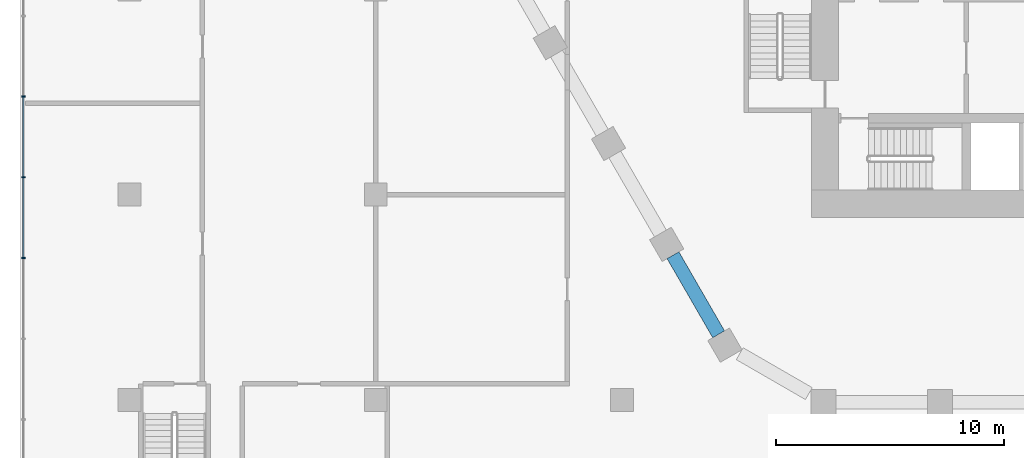
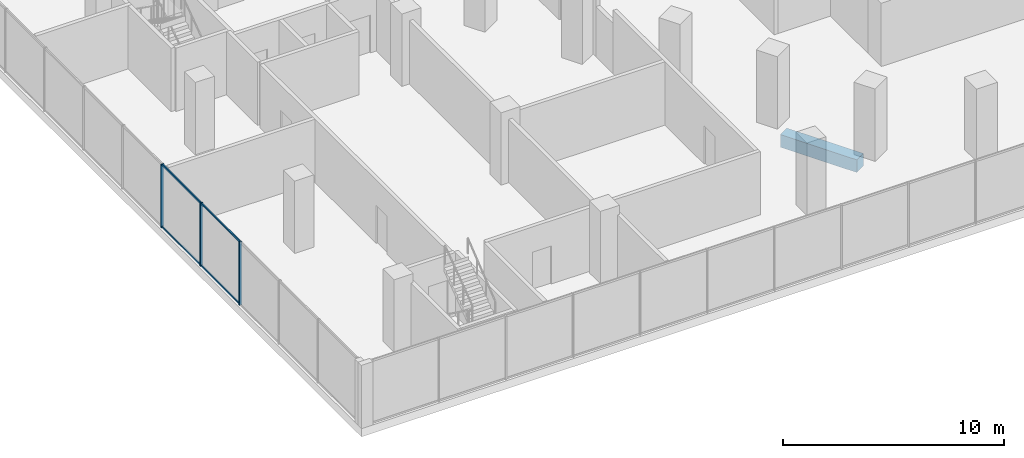
# One storey, part 3 of 45: 7 members, 1 beam, 1 element without a shape of its own.
"""IFC4 building model written with IfcOpenShell, lengths in metres."""

from ifc_helpers import new_model, si_unit, direction, frame, origin, origin_2d, place, context, subcontext, project, spatial, rectangle, hollow_rectangle, extrude, material, material_profile, profile_set, type_object, element, aggregate, save


model = new_model("IFC4")

# Units and contexts
model_context = context("Model", 3, precision=1e-05, world=origin(), true_north=direction((0.0, 1.0)))
body_context = subcontext(model_context, "Body", "Model", "MODEL_VIEW")
ifc_project = project(units=[si_unit("LENGTHUNIT", "METRE"), si_unit("AREAUNIT", "SQUARE_METRE"), si_unit("VOLUMEUNIT", "CUBIC_METRE"), si_unit("PLANEANGLEUNIT", "RADIAN"), si_unit("MASSUNIT", "GRAM", prefix="KILO")], contexts=[model_context])

# Site, building, storey
site_placement = place(None, origin())
site = spatial("IfcSite", under=ifc_project, at=site_placement, CompositionType="ELEMENT")
building_placement = place(site_placement, origin())
building = spatial("IfcBuilding", under=site, at=building_placement, Name="Beryl Residences", CompositionType="ELEMENT")
storey_placement = place(building_placement, frame((0.0, 0.0, 5.0)))
storey = spatial("IfcBuildingStorey", under=building, at=storey_placement, Name="L01", CompositionType="ELEMENT", Elevation=5.0)

# Curtain wall, members
ifc_material_1 = material(Name="Aluminium and clear glass", Category="aluminium")
curtain_wall_type = type_object("IfcCurtainWallType", Name="CW1 shopfront glazed wall", PredefinedType="NOTDEFINED", material=ifc_material_1)
curtain_wall_placement = place(storey_placement, origin())
curtain_wall = element("IfcCurtainWall", 1, at=curtain_wall_placement, inside=storey, type_object=curtain_wall_type, Name="CW1 L01 W", PredefinedType="NOTDEFINED")
ifc_material_2 = material(Name="Aluminium", Category="aluminium")
ifc_material_profile_1 = material_profile(ifc_material_2, rectangle(XDim=0.06005859375, YDim=0.14990234375, at=origin_2d()))
ifc_profile_set_1 = profile_set([ifc_material_profile_1], Name="Aluminium")
member_type_1 = type_object("IfcMemberType", Name="CW1-M mullion 60 x 150 mm", PredefinedType="MULLION", material=ifc_profile_set_1)
member_1_placement = place(storey_placement, frame((-47.85009765625, -13.699951171875, 0.0), z_axis=(0.0, 0.0, 1.0), x_axis=(0.0, -1.0, 0.0)))
member_1 = element("IfcMember", 2, at=member_1_placement, type_object=member_type_1, Name="CW1 mullion 16", PredefinedType="MULLION", context=body_context, shape_type="SweptSolid", body=[
    extrude(rectangle(XDim=0.06005859375, YDim=0.14990234375, at=origin_2d()), origin(), (0.0, 0.0, 1.0), 3.5),
])
member_2_placement = place(storey_placement, frame((-47.85009765625, -17.239990234375, 0.0), z_axis=(0.0, 0.0, 1.0), x_axis=(0.0, -1.0, 0.0)))
member_2 = element("IfcMember", 3, at=member_2_placement, type_object=member_type_1, Name="CW1 mullion 17", PredefinedType="MULLION", context=body_context, shape_type="SweptSolid", body=[
    extrude(rectangle(XDim=0.06005859375, YDim=0.14990234375, at=origin_2d()), origin(), (0.0, 0.0, 1.0), 3.5),
])
member_3_placement = place(storey_placement, frame((-47.85009765625, -20.780029296875, 0.0), z_axis=(0.0, 0.0, 1.0), x_axis=(0.0, -1.0, 0.0)))
member_3 = element("IfcMember", 4, at=member_3_placement, type_object=member_type_1, Name="CW1 mullion 18", PredefinedType="MULLION", context=body_context, shape_type="SweptSolid", body=[
    extrude(rectangle(XDim=0.06005859375, YDim=0.14990234375, at=origin_2d()), origin(), (0.0, 0.0, 1.0), 3.5),
])
ifc_material_3 = material(Name="Aluminium", Category="aluminium")
ifc_material_profile_2 = material_profile(ifc_material_3, hollow_rectangle(XDim=0.06005859375, YDim=0.10009765625, WallThickness=0.00390625, at=origin_2d()))
ifc_profile_set_2 = profile_set([ifc_material_profile_2], Name="Aluminium")
member_type_2 = type_object("IfcMemberType", Name="CW1-T transom 60 x 100 mm", PredefinedType="USERDEFINED", material=ifc_profile_set_2)
member_4_placement = place(storey_placement, frame((-47.85009765625, -13.72998046875, 0.030029296875), z_axis=(0.0, -1.0, 0.0), x_axis=(1.0, 0.0, 0.0)))
member_4 = element("IfcMember", 5, at=member_4_placement, type_object=member_type_2, Name="CW1 transom 16.1", ObjectType="TRANSOM", PredefinedType="USERDEFINED", context=body_context, shape_type="SweptSolid", body=[
    extrude(hollow_rectangle(XDim=0.06005859375, YDim=0.10009765625, WallThickness=0.00390625, at=origin_2d()), origin(), (0.0, 0.0, 1.0), 3.47998046875),
])
member_5_placement = place(storey_placement, frame((-47.85009765625, -13.72998046875, 3.469970703125), z_axis=(0.0, -1.0, 0.0), x_axis=(1.0, 0.0, 0.0)))
member_5 = element("IfcMember", 6, at=member_5_placement, type_object=member_type_2, Name="CW1 transom 16.2", ObjectType="TRANSOM", PredefinedType="USERDEFINED", context=body_context, shape_type="SweptSolid", body=[
    extrude(hollow_rectangle(XDim=0.06005859375, YDim=0.10009765625, WallThickness=0.00390625, at=origin_2d()), origin(), (0.0, 0.0, 1.0), 3.47998046875),
])
member_6_placement = place(storey_placement, frame((-47.85009765625, -17.27001953125, 0.030029296875), z_axis=(0.0, -1.0, 0.0), x_axis=(1.0, 0.0, 0.0)))
member_6 = element("IfcMember", 7, at=member_6_placement, type_object=member_type_2, Name="CW1 transom 17.1", ObjectType="TRANSOM", PredefinedType="USERDEFINED", context=body_context, shape_type="SweptSolid", body=[
    extrude(hollow_rectangle(XDim=0.06005859375, YDim=0.10009765625, WallThickness=0.00390625, at=origin_2d()), origin(), (0.0, 0.0, 1.0), 3.47998046875),
])
member_7_placement = place(storey_placement, frame((-47.85009765625, -17.27001953125, 3.469970703125), z_axis=(0.0, -1.0, 0.0), x_axis=(1.0, 0.0, 0.0)))
member_7 = element("IfcMember", 8, at=member_7_placement, type_object=member_type_2, Name="CW1 transom 17.2", ObjectType="TRANSOM", PredefinedType="USERDEFINED", context=body_context, shape_type="SweptSolid", body=[
    extrude(hollow_rectangle(XDim=0.06005859375, YDim=0.10009765625, WallThickness=0.00390625, at=origin_2d()), origin(), (0.0, 0.0, 1.0), 3.47998046875),
])
aggregate(curtain_wall, [member_1, member_2, member_3, member_4, member_5, member_6, member_7])

# Beam
ifc_material_4 = material(Name="Concrete C80/95", Category="concrete")
ifc_material_profile_3 = material_profile(ifc_material_4, rectangle(XDim=0.60009765625, YDim=0.699951171875, at=origin_2d()))
ifc_profile_set_3 = profile_set([ifc_material_profile_3], Name="Concrete C80/95")
beam_type = type_object("IfcBeamType", Name="SB1 spandrel beam 600 x 700 C80/95", PredefinedType="SPANDREL", material=ifc_profile_set_3)
beam_placement = place(storey_placement, frame((-19.365966796875, -20.656982421875, -0.800048828125), z_axis=(0.499942357345, -0.866058681229, 0.0), x_axis=(0.866058681229, 0.499942357345, 0.0)))
element("IfcBeam", 9, at=beam_placement, inside=storey, type_object=beam_type, Name="SB1 L01 SW-4", PredefinedType="SPANDREL", context=body_context, shape_type="SweptSolid", body=[
    extrude(rectangle(XDim=0.60009765625, YDim=0.699951171875, at=origin_2d()), origin(), (0.0, 0.0, 1.0), 4.00439453125),
])

save(model, "model.ifc")
